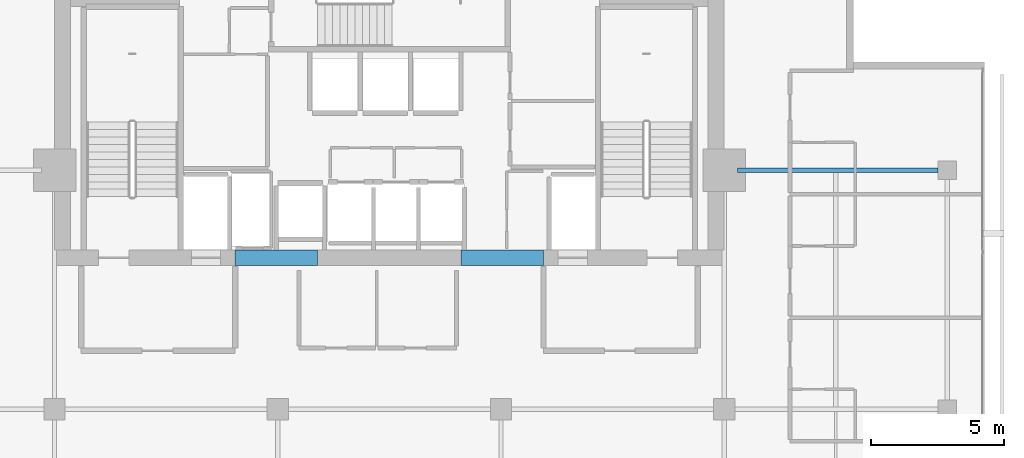
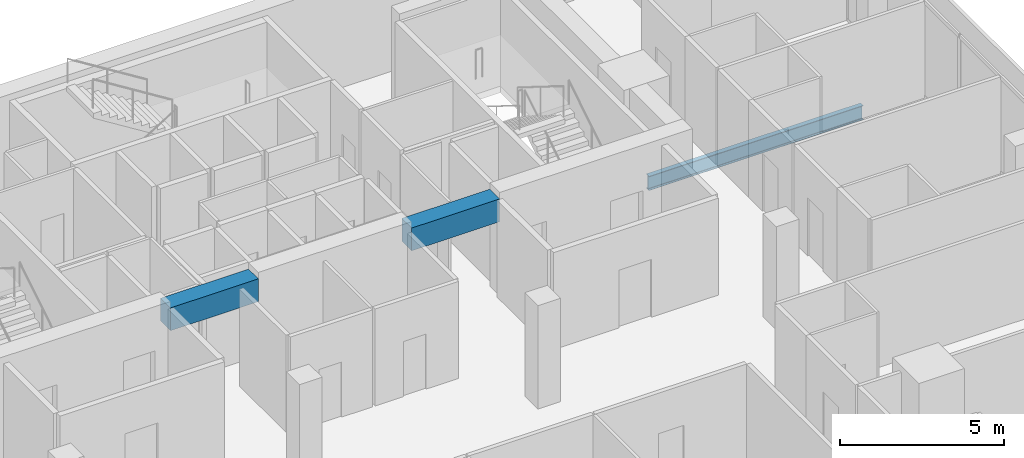
# One storey, part 17 of 26: 3 beams.
"""IFC4 building model written with IfcOpenShell, lengths in metres."""

from ifc_helpers import new_model, si_unit, direction, frame, origin, origin_2d, place, context, subcontext, project, spatial, rectangle, i_section, extrude, material, material_profile, profile_set, type_object, element, save


model = new_model("IFC4")

# Units and contexts
model_context = context("Model", 3, precision=1e-05, world=origin(), true_north=direction((0.0, 1.0)))
body_context = subcontext(model_context, "Body", "Model", "MODEL_VIEW")
ifc_project = project(units=[si_unit("LENGTHUNIT", "METRE"), si_unit("AREAUNIT", "SQUARE_METRE"), si_unit("VOLUMEUNIT", "CUBIC_METRE"), si_unit("PLANEANGLEUNIT", "RADIAN"), si_unit("MASSUNIT", "GRAM", prefix="KILO")], contexts=[model_context])

# Site, building, storey
site_placement = place(None, origin())
site = spatial("IfcSite", under=ifc_project, at=site_placement, CompositionType="ELEMENT")
building_placement = place(site_placement, origin())
building = spatial("IfcBuilding", under=site, at=building_placement, Name="Maruvema Waterfront Hotel and Observation Tower", CompositionType="ELEMENT")
storey_placement = place(building_placement, frame((0.0, 0.0, 289.449951171875)))
storey = spatial("IfcBuildingStorey", under=building, at=storey_placement, Name="L71", CompositionType="ELEMENT", Elevation=289.449951171875)

# Beams
ifc_material_1 = material(Name="Concrete C60/75", Category="concrete")
ifc_material_profile_1 = material_profile(ifc_material_1, rectangle(XDim=0.60009765625, YDim=0.85009765625, at=origin_2d()), Name="CB600x850")
ifc_profile_set_1 = profile_set([ifc_material_profile_1], Name="Concrete C60/75")
beam_type_1 = type_object("IfcBeamType", Name="Core Coupling Lintel Beam CB600x850", PredefinedType="LINTEL", material=ifc_profile_set_1)
for number, where, z_axis, x_axis, name in (
    (1, (32.0, 41.699951171875, 3.18505859375), (1.0, 0.0, 0.0), (0.0, 1.0, 0.0), "L71 Core Coupling Lintel Beam West"),
    (2, (40.5, 41.699951171875, 3.18505859375), (1.0, 0.0, 0.0), (0.0, 1.0, 0.0), "L71 Core Coupling Lintel Beam East"),
):
    element("IfcBeam", number, at=place(storey_placement, frame(where, z_axis=z_axis, x_axis=x_axis)), inside=storey, type_object=beam_type_1, Name=name, PredefinedType="LINTEL", context=body_context, shape_type="SweptSolid", body=[
        extrude(rectangle(XDim=0.60009765625, YDim=0.85009765625, at=origin_2d()), origin(), (0.0, 0.0, 1.0), 3.10009765625),
    ])
ifc_material_2 = material(Name="Steel ASTM A572 Grade 50", Category="steel")
ifc_material_profile_2 = material_profile(ifc_material_2, i_section(OverallWidth=0.166015625, OverallDepth=0.529052734375, WebThickness=0.009765625, FlangeThickness=0.013671875, FilletRadius=0.014892578125, at=origin_2d()), Name="W530x74.0")
ifc_profile_set_2 = profile_set([ifc_material_profile_2], Name="Steel ASTM A572 Grade 50")
beam_type_2 = type_object("IfcBeamType", Name="Primary Floor Girder W530x74.0", PredefinedType="BEAM", material=ifc_profile_set_2)
beam_placement = place(storey_placement, frame((50.89990234375, 45.0, -0.50439453125), z_axis=(1.0, 0.0, 0.0), x_axis=(0.0, 1.0, 0.0)))
element("IfcBeam", 3, at=beam_placement, inside=storey, type_object=beam_type_2, Name="L71 Floor Girder EW-18", PredefinedType="BEAM", context=body_context, shape_type="SweptSolid", body=[
    extrude(i_section(OverallWidth=0.166015625, OverallDepth=0.529052734375, WebThickness=0.009765625, FlangeThickness=0.013671875, FilletRadius=0.014892578125, at=origin_2d()), origin(), (0.0, 0.0, 1.0), 7.550048828125),
])

save(model, "model.ifc")
